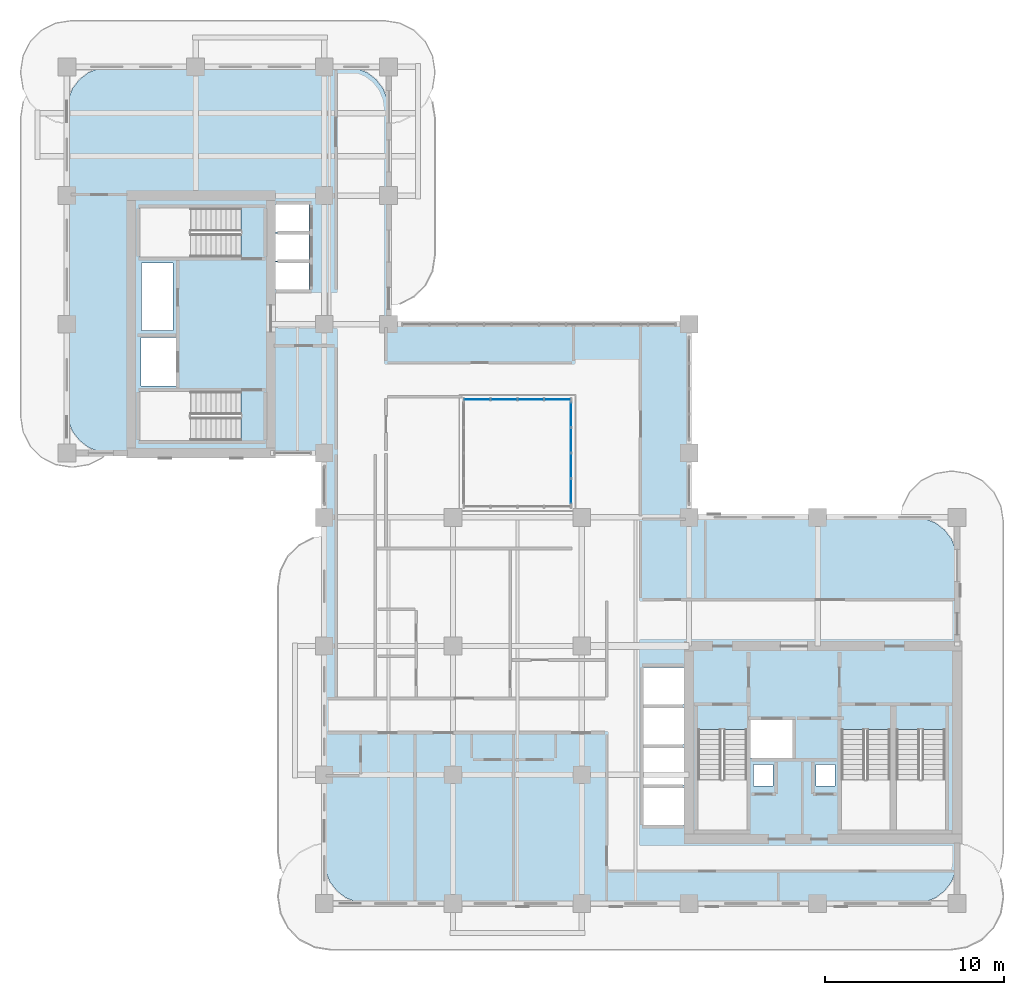
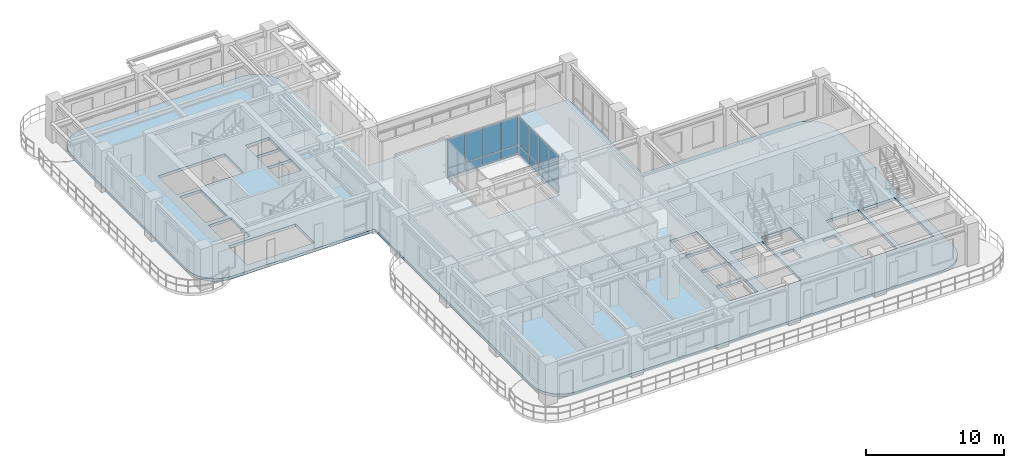
# One storey, part 8 of 20: 16 plates, 1 slab, 2 elements without a shape of their own.
"""IFC4 building model written with IfcOpenShell, lengths in metres."""

from ifc_helpers import new_model, si_unit, derived_unit, direction, frame, origin, origin_2d, place, context, subcontext, project, spatial, polyline, rectangle, outline, extrude, source, transform, mapped, material, layer, layer_set, type_object, element, aggregate, save


model = new_model("IFC4")

# Units and contexts
model_context = context("Model", 3, precision=1e-05, world=origin(), true_north=direction((0.0, 1.0)))
body_context = subcontext(model_context, "Body", "Model", "MODEL_VIEW")
ifc_project = project(units=[si_unit("LENGTHUNIT", "METRE"), si_unit("AREAUNIT", "SQUARE_METRE"), si_unit("VOLUMEUNIT", "CUBIC_METRE"), si_unit("PLANEANGLEUNIT", "RADIAN"), si_unit("MASSUNIT", "GRAM", prefix="KILO"), si_unit("THERMODYNAMICTEMPERATUREUNIT", "KELVIN"), si_unit("POWERUNIT", "WATT"), derived_unit("THERMALTRANSMITTANCEUNIT", [(si_unit("POWERUNIT", "WATT"), 1), (si_unit("AREAUNIT", "SQUARE_METRE"), -1), (si_unit("THERMODYNAMICTEMPERATUREUNIT", "KELVIN"), -1)])], contexts=[model_context])

# Site, building, storey
site_placement = place(None, origin())
site = spatial("IfcSite", under=ifc_project, at=site_placement, CompositionType="ELEMENT")
building_placement = place(site_placement, origin())
building = spatial("IfcBuilding", under=site, at=building_placement, Name="Zahravan Archway Hotel and Residences", CompositionType="ELEMENT")
storey_placement = place(building_placement, frame((0.0, 0.0, 130.300048828125)))
storey = spatial("IfcBuildingStorey", under=building, at=storey_placement, Name="L32", CompositionType="ELEMENT", Elevation=130.300048828125)

# Slab
ifc_material_1 = material(Name="Concrete C45/55", Category="concrete")
ifc_layer_1 = layer(ifc_material_1, 0.25, Name="Concrete C45/55", Category="concrete")
ifc_layer_set_1 = layer_set([ifc_layer_1], Name="Concrete C45/55")
slab_type = type_object("IfcSlabType", Name="SLB-FLR-250", PredefinedType="FLOOR", material=ifc_layer_set_1)
slab_placement = place(storey_placement, frame((0.0, 0.0, -0.25)))
element("IfcSlab", 1, at=slab_placement, inside=storey, type_object=slab_type, Name="L32 Floor Slab LB", PredefinedType="FLOOR", context=body_context, shape_type="SweptSolid", body=[
    extrude(outline(polyline([(34.800048828125, 21.60009765625), (34.800048828125, 32.39990234375), (18.0, 32.39990234375), (18.0, 44.39990234375), (17.918212890625, 45.021240234375), (17.678466796875, 45.60009765625), (17.297119140625, 46.09716796875), (16.800048828125, 46.478515625), (16.22119140625, 46.71826171875), (15.60009765625, 46.800048828125), (2.39990234375, 46.800048828125), (1.77880859375, 46.71826171875), (1.199951171875, 46.478515625), (0.702880859375, 46.09716796875), (0.321533203125, 45.60009765625), (0.081787109375, 45.021240234375), (0.0, 44.39990234375), (0.0, 27.60009765625), (0.081787109375, 26.978759765625), (0.321533203125, 26.39990234375), (0.702880859375, 25.90283203125), (1.199951171875, 25.521484375), (1.77880859375, 25.28173828125), (2.39990234375, 25.199951171875), (14.39990234375, 25.199951171875), (14.39990234375, 19.199951171875), (14.39990234375, 19.10009765625), (14.39990234375, 2.39990234375), (14.481689453125, 1.77880859375), (14.721435546875, 1.199951171875), (15.102783203125, 0.702880859375), (15.60009765625, 0.321533203125), (16.1787109375, 0.081787109375), (16.800048828125, 0.0), (47.39990234375, 0.0), (48.021240234375, 0.081787109375), (48.60009765625, 0.321533203125), (49.09716796875, 0.702880859375), (49.478515625, 1.199951171875), (49.71826171875, 1.77880859375), (49.800048828125, 2.39990234375), (49.800048828125, 19.199951171875), (49.71826171875, 19.8212890625), (49.478515625, 20.39990234375), (49.09716796875, 20.897216796875), (48.60009765625, 21.278564453125), (48.021240234375, 21.518310546875), (47.39990234375, 21.60009765625), (34.800048828125, 21.60009765625)]), holes=[polyline([(35.300048828125, 9.72998046875), (35.300048828125, 4.10009765625), (38.0400390625, 4.10009765625), (38.0400390625, 9.72998046875), (35.300048828125, 9.72998046875)]), polyline([(43.320068359375, 9.72998046875), (43.320068359375, 4.10009765625), (46.06005859375, 4.10009765625), (46.06005859375, 9.72998046875), (43.320068359375, 9.72998046875)]), polyline([(46.39990234375, 9.72998046875), (46.39990234375, 4.10009765625), (49.139892578125, 4.10009765625), (49.139892578125, 9.72998046875), (46.39990234375, 9.72998046875)]), polyline([(9.72998046875, 28.639892578125), (4.10009765625, 28.639892578125), (4.10009765625, 25.89990234375), (9.72998046875, 25.89990234375), (9.72998046875, 28.639892578125)]), polyline([(9.72998046875, 38.89990234375), (4.10009765625, 38.89990234375), (4.10009765625, 36.159912109375), (9.72998046875, 36.159912109375), (9.72998046875, 38.89990234375)]), polyline([(38.179931640625, 8.14990234375), (40.699951171875, 8.14990234375), (40.699951171875, 10.25), (38.179931640625, 10.25), (38.179931640625, 8.14990234375)]), polyline([(4.14990234375, 28.949951171875), (6.10009765625, 28.949951171875), (6.10009765625, 31.64990234375), (4.14990234375, 31.64990234375), (4.14990234375, 28.949951171875)]), polyline([(11.550048828125, 34.35009765625), (13.550048828125, 34.35009765625), (13.550048828125, 35.889892578125), (11.550048828125, 35.889892578125), (11.550048828125, 34.35009765625)]), polyline([(11.550048828125, 35.949951171875), (13.550048828125, 35.949951171875), (13.550048828125, 37.489990234375), (11.550048828125, 37.489990234375), (11.550048828125, 35.949951171875)]), polyline([(11.550048828125, 37.550048828125), (13.550048828125, 37.550048828125), (13.550048828125, 39.090087890625), (11.550048828125, 39.090087890625), (11.550048828125, 37.550048828125)]), polyline([(32.25, 4.39990234375), (34.550048828125, 4.39990234375), (34.550048828125, 6.47998046875), (32.25, 6.47998046875), (32.25, 4.39990234375)]), polyline([(32.25, 6.639892578125), (34.550048828125, 6.639892578125), (34.550048828125, 8.719970703125), (32.25, 8.719970703125), (32.25, 6.639892578125)]), polyline([(32.25, 8.8798828125), (34.550048828125, 8.8798828125), (34.550048828125, 10.9599609375), (32.25, 10.9599609375), (32.25, 8.8798828125)]), polyline([(32.25, 11.1201171875), (34.550048828125, 11.1201171875), (34.550048828125, 13.199951171875), (32.25, 13.199951171875), (32.25, 11.1201171875)]), polyline([(22.199951171875, 22.199951171875), (28.199951171875, 22.199951171875), (28.199951171875, 28.199951171875), (22.199951171875, 28.199951171875), (22.199951171875, 22.199951171875)]), polyline([(38.419921875, 6.56005859375), (39.5, 6.56005859375), (39.5, 7.780029296875), (38.419921875, 7.780029296875), (38.419921875, 6.56005859375)]), polyline([(41.89990234375, 6.56005859375), (42.9599609375, 6.56005859375), (42.9599609375, 7.780029296875), (41.89990234375, 7.780029296875), (41.89990234375, 6.56005859375)]), polyline([(4.179931640625, 32.050048828125), (5.93994140625, 32.050048828125), (5.93994140625, 35.840087890625), (4.179931640625, 35.840087890625), (4.179931640625, 32.050048828125)])]), origin(), (0.0, 0.0, 1.0), 0.25),
])

# Curtain wall, plates
ifc_material_2 = material(Name="Bronze-Anodized Unitised Aluminium & Low-E Glass", Category="aluminium")
ifc_layer_2 = layer(ifc_material_2, 0.179931640625, Name="Bronze-Anodized Unitised Aluminium & Low-E Glass", Category="aluminium")
ifc_layer_set_2 = layer_set([ifc_layer_2], Name="Bronze-Anodized Unitised Aluminium & Low-E Glass")
curtain_wall_type = type_object("IfcCurtainWallType", Name="CW-ATR-GLAZ", PredefinedType="NOTDEFINED", material=ifc_layer_set_2)
curtain_wall_1_placement = place(storey_placement, origin())
curtain_wall_1 = element("IfcCurtainWall", 2, at=curtain_wall_1_placement, inside=storey, type_object=curtain_wall_type, Name="L32 Curtain Wall CW-ATR-L32-N-1", PredefinedType="NOTDEFINED")
ifc_material_3 = material(Name="Insulated Terracotta Spandrel Panel", Category="masonry")
ifc_layer_3 = layer(ifc_material_3, 0.0400390625, Name="Insulated Terracotta Spandrel Panel", Category="masonry")
ifc_layer_set_3 = layer_set([ifc_layer_3], Name="Insulated Terracotta Spandrel Panel")
plate_type_1 = type_object("IfcPlateType", Name="CWP-SPN-40", PredefinedType="SHEET", material=ifc_layer_set_3)
shared_shape_1 = source(origin(), body_context, "Body", "SweptSolid", [
    extrude(rectangle(XDim=1.419921875, YDim=0.0400390625, at=origin_2d()), origin(), (0.0, 0.0, 1.0), 0.68798828125),
])
plate_1_placement = place(storey_placement, frame((22.949951171875, 28.199951171875, 0.099853515625), z_axis=(0.0, 0.0, 1.0), x_axis=(1.0, 0.0, 0.0)))
plate_1 = element("IfcPlate", 3, at=plate_1_placement, type_object=plate_type_1, Name="CW-ATR-L32-N-1 Spandrel Panel 0", PredefinedType="SHEET", context=body_context, shape_type="MappedRepresentation", body=[
    mapped(shared_shape_1, transform((0.0, 0.0, 0.0), scale=1.0)),
])
plate_2_placement = place(storey_placement, frame((24.449951171875, 28.199951171875, 0.099853515625), z_axis=(0.0, 0.0, 1.0), x_axis=(1.0, 0.0, 0.0)))
plate_2 = element("IfcPlate", 4, at=plate_2_placement, type_object=plate_type_1, Name="CW-ATR-L32-N-1 Spandrel Panel 1", PredefinedType="SHEET", context=body_context, shape_type="MappedRepresentation", body=[
    mapped(shared_shape_1, transform((0.0, 0.0, 0.0), scale=1.0)),
])
plate_3_placement = place(storey_placement, frame((25.949951171875, 28.199951171875, 0.099853515625), z_axis=(0.0, 0.0, 1.0), x_axis=(1.0, 0.0, 0.0)))
plate_3 = element("IfcPlate", 5, at=plate_3_placement, type_object=plate_type_1, Name="CW-ATR-L32-N-1 Spandrel Panel 2", PredefinedType="SHEET", context=body_context, shape_type="MappedRepresentation", body=[
    mapped(shared_shape_1, transform((0.0, 0.0, 0.0), scale=1.0)),
])
plate_4_placement = place(storey_placement, frame((27.449951171875, 28.199951171875, 0.099853515625), z_axis=(0.0, 0.0, 1.0), x_axis=(1.0, 0.0, 0.0)))
plate_4 = element("IfcPlate", 6, at=plate_4_placement, type_object=plate_type_1, Name="CW-ATR-L32-N-1 Spandrel Panel 3", PredefinedType="SHEET", context=body_context, shape_type="MappedRepresentation", body=[
    mapped(shared_shape_1, transform((0.0, 0.0, 0.0), scale=1.0)),
])
ifc_material_4 = material(Name="Double-Silver Low-E Insulated Vision Glass", Category="glass")
ifc_layer_4 = layer(ifc_material_4, 0.028076171875, Name="Double-Silver Low-E Insulated Vision Glass", Category="glass")
ifc_layer_set_4 = layer_set([ifc_layer_4], Name="Double-Silver Low-E Insulated Vision Glass")
plate_type_2 = type_object("IfcPlateType", Name="CWP-GLZ-28", PredefinedType="CURTAIN_PANEL", material=ifc_layer_set_4)
shared_shape_2 = source(origin(), body_context, "Body", "SweptSolid", [
    extrude(rectangle(XDim=1.419921875, YDim=0.028076171875, at=origin_2d()), origin(), (0.0, 0.0, 1.0), 2.48193359375),
])
plate_5_placement = place(storey_placement, frame((22.949951171875, 28.199951171875, 0.867919921875), z_axis=(0.0, 0.0, 1.0), x_axis=(1.0, 0.0, 0.0)))
plate_5 = element("IfcPlate", 7, at=plate_5_placement, type_object=plate_type_2, Name="CW-ATR-L32-N-1 Low-E Vision Panel 0", PredefinedType="CURTAIN_PANEL", context=body_context, shape_type="MappedRepresentation", body=[
    mapped(shared_shape_2, transform((0.0, 0.0, 0.0), scale=1.0)),
])
plate_6_placement = place(storey_placement, frame((24.449951171875, 28.199951171875, 0.867919921875), z_axis=(0.0, 0.0, 1.0), x_axis=(1.0, 0.0, 0.0)))
plate_6 = element("IfcPlate", 8, at=plate_6_placement, type_object=plate_type_2, Name="CW-ATR-L32-N-1 Low-E Vision Panel 1", PredefinedType="CURTAIN_PANEL", context=body_context, shape_type="MappedRepresentation", body=[
    mapped(shared_shape_2, transform((0.0, 0.0, 0.0), scale=1.0)),
])
plate_7_placement = place(storey_placement, frame((25.949951171875, 28.199951171875, 0.867919921875), z_axis=(0.0, 0.0, 1.0), x_axis=(1.0, 0.0, 0.0)))
plate_7 = element("IfcPlate", 9, at=plate_7_placement, type_object=plate_type_2, Name="CW-ATR-L32-N-1 Low-E Vision Panel 2", PredefinedType="CURTAIN_PANEL", context=body_context, shape_type="MappedRepresentation", body=[
    mapped(shared_shape_2, transform((0.0, 0.0, 0.0), scale=1.0)),
])
plate_8_placement = place(storey_placement, frame((27.449951171875, 28.199951171875, 0.867919921875), z_axis=(0.0, 0.0, 1.0), x_axis=(1.0, 0.0, 0.0)))
plate_8 = element("IfcPlate", 10, at=plate_8_placement, type_object=plate_type_2, Name="CW-ATR-L32-N-1 Low-E Vision Panel 3", PredefinedType="CURTAIN_PANEL", context=body_context, shape_type="MappedRepresentation", body=[
    mapped(shared_shape_2, transform((0.0, 0.0, 0.0), scale=1.0)),
])
aggregate(curtain_wall_1, [plate_1, plate_5, plate_2, plate_6, plate_3, plate_7, plate_4, plate_8])

curtain_wall_2_placement = place(storey_placement, origin())
curtain_wall_2 = element("IfcCurtainWall", 11, at=curtain_wall_2_placement, inside=storey, type_object=curtain_wall_type, Name="L32 Curtain Wall CW-ATR-L32-E-1", PredefinedType="NOTDEFINED")
shared_shape_3 = source(origin(), body_context, "Body", "SweptSolid", [
    extrude(rectangle(XDim=1.344970703125, YDim=0.0400390625, at=origin_2d()), origin(), (0.0, 0.0, 1.0), 0.68798828125),
])
plate_9_placement = place(storey_placement, frame((28.199951171875, 23.0625, 0.099853515625), z_axis=(0.0, 0.0, 1.0), x_axis=(0.0, 1.0, 0.0)))
plate_9 = element("IfcPlate", 12, at=plate_9_placement, type_object=plate_type_1, Name="CW-ATR-L32-E-1 Spandrel Panel 0", PredefinedType="SHEET", context=body_context, shape_type="MappedRepresentation", body=[
    mapped(shared_shape_3, transform((0.0, 0.0, 0.0), scale=1.0)),
])
plate_10_placement = place(storey_placement, frame((28.199951171875, 24.487548828125, 0.099853515625), z_axis=(0.0, 0.0, 1.0), x_axis=(0.0, 1.0, 0.0)))
plate_10 = element("IfcPlate", 13, at=plate_10_placement, type_object=plate_type_1, Name="CW-ATR-L32-E-1 Spandrel Panel 1", PredefinedType="SHEET", context=body_context, shape_type="MappedRepresentation", body=[
    mapped(shared_shape_3, transform((0.0, 0.0, 0.0), scale=1.0)),
])
plate_11_placement = place(storey_placement, frame((28.199951171875, 25.91259765625, 0.099853515625), z_axis=(0.0, 0.0, 1.0), x_axis=(0.0, 1.0, 0.0)))
plate_11 = element("IfcPlate", 14, at=plate_11_placement, type_object=plate_type_1, Name="CW-ATR-L32-E-1 Spandrel Panel 2", PredefinedType="SHEET", context=body_context, shape_type="MappedRepresentation", body=[
    mapped(shared_shape_3, transform((0.0, 0.0, 0.0), scale=1.0)),
])
plate_12_placement = place(storey_placement, frame((28.199951171875, 27.33740234375, 0.099853515625), z_axis=(0.0, 0.0, 1.0), x_axis=(0.0, 1.0, 0.0)))
plate_12 = element("IfcPlate", 15, at=plate_12_placement, type_object=plate_type_1, Name="CW-ATR-L32-E-1 Spandrel Panel 3", PredefinedType="SHEET", context=body_context, shape_type="MappedRepresentation", body=[
    mapped(shared_shape_3, transform((0.0, 0.0, 0.0), scale=1.0)),
])
shared_shape_4 = source(origin(), body_context, "Body", "SweptSolid", [
    extrude(rectangle(XDim=1.344970703125, YDim=0.028076171875, at=origin_2d()), origin(), (0.0, 0.0, 1.0), 2.48193359375),
])
plate_13_placement = place(storey_placement, frame((28.199951171875, 23.0625, 0.867919921875), z_axis=(0.0, 0.0, 1.0), x_axis=(0.0, 1.0, 0.0)))
plate_13 = element("IfcPlate", 16, at=plate_13_placement, type_object=plate_type_2, Name="CW-ATR-L32-E-1 Low-E Vision Panel 0", PredefinedType="CURTAIN_PANEL", context=body_context, shape_type="MappedRepresentation", body=[
    mapped(shared_shape_4, transform((0.0, 0.0, 0.0), scale=1.0)),
])
plate_14_placement = place(storey_placement, frame((28.199951171875, 24.487548828125, 0.867919921875), z_axis=(0.0, 0.0, 1.0), x_axis=(0.0, 1.0, 0.0)))
plate_14 = element("IfcPlate", 17, at=plate_14_placement, type_object=plate_type_2, Name="CW-ATR-L32-E-1 Low-E Vision Panel 1", PredefinedType="CURTAIN_PANEL", context=body_context, shape_type="MappedRepresentation", body=[
    mapped(shared_shape_4, transform((0.0, 0.0, 0.0), scale=1.0)),
])
plate_15_placement = place(storey_placement, frame((28.199951171875, 25.91259765625, 0.867919921875), z_axis=(0.0, 0.0, 1.0), x_axis=(0.0, 1.0, 0.0)))
plate_15 = element("IfcPlate", 18, at=plate_15_placement, type_object=plate_type_2, Name="CW-ATR-L32-E-1 Low-E Vision Panel 2", PredefinedType="CURTAIN_PANEL", context=body_context, shape_type="MappedRepresentation", body=[
    mapped(shared_shape_4, transform((0.0, 0.0, 0.0), scale=1.0)),
])
plate_16_placement = place(storey_placement, frame((28.199951171875, 27.33740234375, 0.867919921875), z_axis=(0.0, 0.0, 1.0), x_axis=(0.0, 1.0, 0.0)))
plate_16 = element("IfcPlate", 19, at=plate_16_placement, type_object=plate_type_2, Name="CW-ATR-L32-E-1 Low-E Vision Panel 3", PredefinedType="CURTAIN_PANEL", context=body_context, shape_type="MappedRepresentation", body=[
    mapped(shared_shape_4, transform((0.0, 0.0, 0.0), scale=1.0)),
])
aggregate(curtain_wall_2, [plate_9, plate_13, plate_10, plate_14, plate_11, plate_15, plate_12, plate_16])

save(model, "model.ifc")
